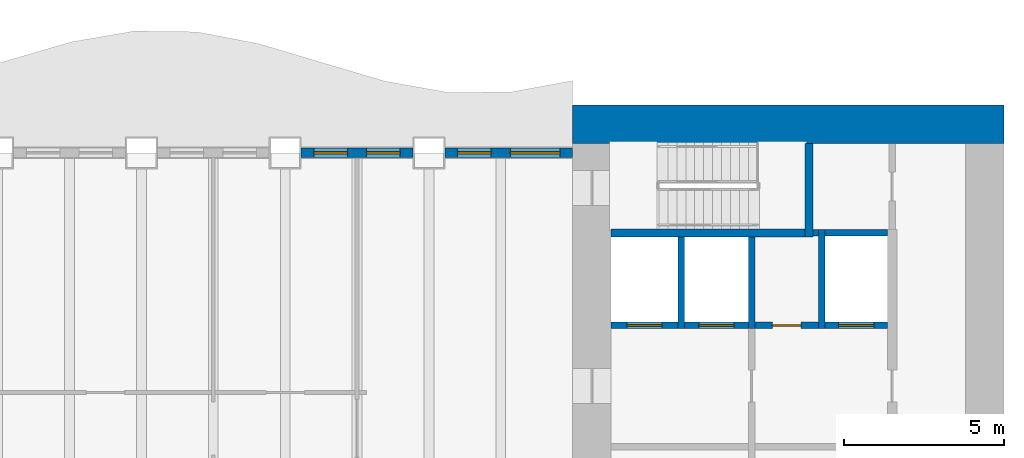
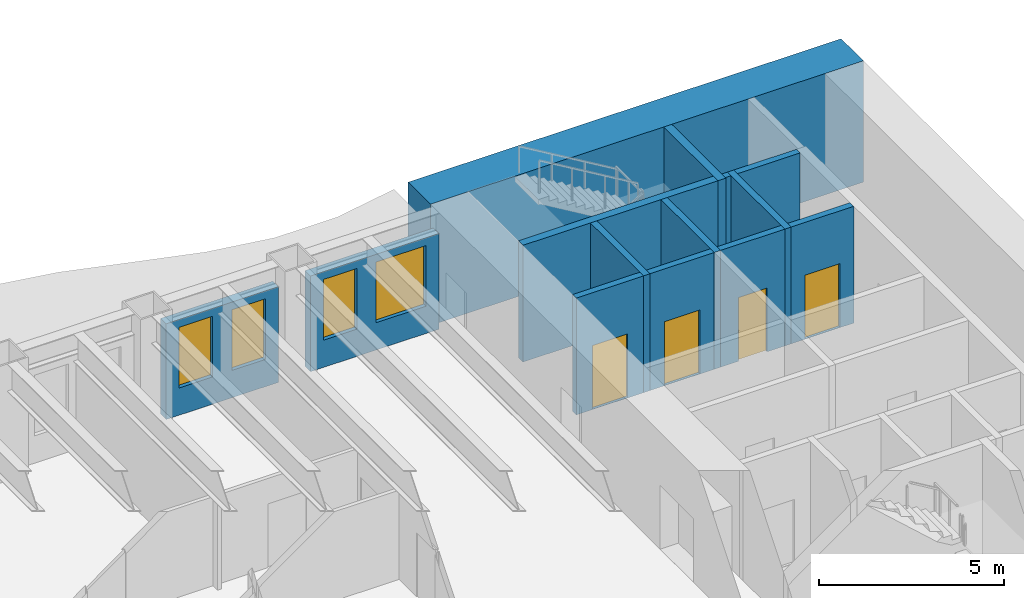
# One storey, part 7 of 16: 14 walls, 4 doors, 4 windows, 8 openings.
"""IFC4 building model written with IfcOpenShell, lengths in metres."""

from ifc_helpers import new_model, si_unit, direction, frame, frame_2d, origin, place, context, subcontext, project, spatial, rectangle, extrude, material, layer, layer_set, type_object, element, fill, save


model = new_model("IFC4")

# Units and contexts
model_context = context("Model", 3, precision=1e-05, world=origin(), true_north=direction((0.0, 1.0)))
body_context = subcontext(model_context, "Body", "Model", "MODEL_VIEW")
ifc_project = project(units=[si_unit("LENGTHUNIT", "METRE"), si_unit("AREAUNIT", "SQUARE_METRE"), si_unit("VOLUMEUNIT", "CUBIC_METRE"), si_unit("PLANEANGLEUNIT", "RADIAN"), si_unit("MASSUNIT", "GRAM", prefix="KILO")], contexts=[model_context])

# Site, building, storey
site_placement = place(None, origin())
site = spatial("IfcSite", under=ifc_project, at=site_placement, CompositionType="ELEMENT")
building_placement = place(site_placement, origin())
building = spatial("IfcBuilding", under=site, at=building_placement, Name="Sennacour Bend Tower", CompositionType="ELEMENT")
storey_placement = place(building_placement, frame((0.0, 0.0, 83.0)))
storey = spatial("IfcBuildingStorey", under=building, at=storey_placement, Name="L18", CompositionType="ELEMENT", Elevation=83.0)

# Wall
ifc_material_1 = material(Name="Concrete C80/95", Category="concrete")
ifc_layer_1 = layer(ifc_material_1, 1.199951171875, Name="Concrete C80/95", Category="concrete")
ifc_layer_set_1 = layer_set([ifc_layer_1], Name="Concrete C80/95")
wall_type_1 = type_object("IfcWallType", Name="Core wall 1200 C80/95", PredefinedType="SHEAR", material=ifc_layer_set_1)
wall_1_placement = place(storey_placement, frame((54.0, 21.89990234375, -0.14990234375), z_axis=(0.0, 0.0, 1.0), x_axis=(1.0, 0.0, 0.0)))
element("IfcWall", 1, at=wall_1_placement, inside=storey, type_object=wall_type_1, Name="Core A wall L18 N", PredefinedType="SHEAR", context=body_context, shape_type="SweptSolid", body=[
    extrude(rectangle(XDim=13.5, YDim=1.199951171875, at=frame_2d((6.75, 0.0))), origin(), (0.0, 0.0, 1.0), 4.0),
])

# Wall, opening, door
ifc_material_2 = material(Name="Fire-rated plasterboard partition on steel studs", Category="steel")
ifc_layer_2 = layer(ifc_material_2, 0.199951171875, Name="Fire-rated plasterboard partition on steel studs", Category="steel")
ifc_layer_set_2 = layer_set([ifc_layer_2], Name="Fire-rated plasterboard partition on steel studs")
wall_type_2 = type_object("IfcWallType", Name="Rated partition 200", PredefinedType="PARTITIONING", material=ifc_layer_set_2)
wall_2_placement = place(storey_placement, frame((59.699951171875, 15.60009765625, 0.0), z_axis=(0.0, 0.0, 1.0), x_axis=(1.0, 0.0, 0.0)))
wall_2 = element("IfcWall", 2, at=wall_2_placement, inside=storey, type_object=wall_type_2, Name="P-L18-W062", PredefinedType="PARTITIONING", context=body_context, shape_type="SweptSolid", body=[
    extrude(rectangle(XDim=2.0, YDim=0.199951171875, at=frame_2d((1.0, 0.0))), origin(), (0.0, 0.0, 1.0), 3.85009765625),
])
opening_1_placement = place(wall_2_placement, frame((0.550048828125, 0.0, 0.0)))
opening_1 = element("IfcOpeningElement", 3, at=opening_1_placement, cuts=wall_2, Name="Opening SV", PredefinedType="OPENING", context=body_context, shape_type="SweptSolid", body=[
    extrude(rectangle(XDim=0.89990234375, YDim=2.10009765625, at=frame_2d((0.449951171875, 1.050048828125))), frame((0.0, 0.10986328125, 0.0), z_axis=(0.0, -1.0, 0.0), x_axis=(1.0, 0.0, 0.0)), (0.0, 0.0, 1.0), 0.219970703125),
])
ifc_material_3 = material(Name="Painted steel", Category="steel")
door_type_1 = type_object("IfcDoorType", Name="DR-SERVICE-900", OperationType="NOTDEFINED", PredefinedType="DOOR", material=ifc_material_3)
door_1_placement = place(opening_1_placement, origin())
door_1 = element("IfcDoor", 4, at=door_1_placement, inside=storey, type_object=door_type_1, Name="Door", OperationType="SINGLE_SWING_LEFT", OverallHeight=2.10009765625, OverallWidth=0.89990234375, PredefinedType="DOOR", context=body_context, shape_type="SweptSolid", body=[
    extrude(rectangle(XDim=0.89990234375, YDim=2.10009765625, at=frame_2d((0.449951171875, 1.050048828125))), frame((0.0, 0.02490234375, 0.0), z_axis=(0.0, -1.0, 0.0), x_axis=(1.0, 0.0, 0.0)), (0.0, 0.0, 1.0), 0.050048828125),
])
fill(opening_1, door_1)

# Wall
wall_3_placement = place(storey_placement, frame((61.52490234375, 18.5, 0.0), z_axis=(0.0, 0.0, 1.0), x_axis=(1.0, 0.0, 0.0)))
element("IfcWall", 5, at=wall_3_placement, inside=storey, type_object=wall_type_2, Name="P-L18-W065", PredefinedType="PARTITIONING", context=body_context, shape_type="SweptSolid", body=[
    extrude(rectangle(XDim=0.175048828125, YDim=0.199951171875, at=frame_2d((0.08740234375, 0.0))), origin(), (0.0, 0.0, 1.0), 3.85009765625),
])

# Wall, openings, windows
ifc_material_4 = material(Name="Warm limestone cladding", Category="masonry")
ifc_layer_3 = layer(ifc_material_4, 0.050048828125, Name="Warm limestone cladding", Category="masonry")
ifc_material_5 = material(Name="Precast concrete C40/50", Category="concrete")
ifc_layer_4 = layer(ifc_material_5, 0.25, Name="Precast concrete C40/50", Category="concrete")
ifc_layer_set_3 = layer_set([ifc_layer_3, ifc_layer_4], Name="Precast concrete C40/50 with limestone cladding")
wall_type_3 = type_object("IfcWallType", Name="STONE-CLAD PRECAST SPANDREL 300", PredefinedType="STANDARD", material=ifc_layer_set_3)
wall_4_placement = place(storey_placement, frame((54.0, 21.0, 0.0), z_axis=(0.0, 0.0, 1.0), x_axis=(-1.0, 0.0, 0.0)))
wall_4 = element("IfcWall", 6, at=wall_4_placement, inside=storey, type_object=wall_type_3, Name="Stone spandrel and pier wall L18 06.00", PredefinedType="STANDARD", context=body_context, shape_type="SweptSolid", body=[
    extrude(rectangle(XDim=4.0, YDim=0.300048828125, at=frame_2d((2.0, 0.0))), origin(), (0.0, 0.0, 1.0), 3.154052734375),
])
opening_2_placement = place(wall_4_placement, frame((0.39990234375, 0.0, 0.89990234375)))
opening_2 = element("IfcOpeningElement", 7, at=opening_2_placement, cuts=wall_4, Name="Opening W9", PredefinedType="OPENING", context=body_context, shape_type="SweptSolid", body=[
    extrude(rectangle(XDim=1.550048828125, YDim=2.0, at=frame_2d((0.77490234375, 1.0))), frame((0.0, 0.16015625, 0.0), z_axis=(0.0, -1.0, 0.0), x_axis=(1.0, 0.0, 0.0)), (0.0, 0.0, 1.0), 0.320068359375),
])
opening_3_placement = place(wall_4_placement, frame((2.550048828125, 0.0, 0.89990234375)))
opening_3 = element("IfcOpeningElement", 8, at=opening_3_placement, cuts=wall_4, Name="Opening W13", PredefinedType="OPENING", context=body_context, shape_type="SweptSolid", body=[
    extrude(rectangle(XDim=1.050048828125, YDim=2.0, at=frame_2d((0.52490234375, 1.0))), frame((0.0, 0.16015625, 0.0), z_axis=(0.0, -1.0, 0.0), x_axis=(1.0, 0.0, 0.0)), (0.0, 0.0, 1.0), 0.320068359375),
])
ifc_material_6 = material(Name="Clear low-emissivity glass", Category="glass")
window_type_1 = type_object("IfcWindowType", Name="WIN-RIBBON-1050x2000", PartitioningType="SINGLE_PANEL", PredefinedType="WINDOW", material=ifc_material_6)
window_1_placement = place(opening_3_placement, origin())
window_1 = element("IfcWindow", 9, at=window_1_placement, inside=storey, type_object=window_type_1, Name="Ribbon window L18 06.00.1", OverallHeight=2.0, OverallWidth=1.050048828125, PartitioningType="SINGLE_PANEL", PredefinedType="WINDOW", context=body_context, shape_type="SweptSolid", body=[
    extrude(rectangle(XDim=1.050048828125, YDim=2.0, at=frame_2d((0.52490234375, 1.0))), frame((0.0, 0.030029296875, 0.0), z_axis=(0.0, -1.0, 0.0), x_axis=(1.0, 0.0, 0.0)), (0.0, 0.0, 1.0), 0.06005859375),
])
fill(opening_3, window_1)
window_type_2 = type_object("IfcWindowType", Name="WIN-RIBBON-1550x2000", PartitioningType="SINGLE_PANEL", PredefinedType="WINDOW", material=ifc_material_6)
window_2_placement = place(opening_2_placement, origin())
window_2 = element("IfcWindow", 10, at=window_2_placement, inside=storey, type_object=window_type_2, Name="Ribbon window L18 06.00.0", OverallHeight=2.0, OverallWidth=1.550048828125, PartitioningType="SINGLE_PANEL", PredefinedType="WINDOW", context=body_context, shape_type="SweptSolid", body=[
    extrude(rectangle(XDim=1.550048828125, YDim=2.0, at=frame_2d((0.77490234375, 1.0))), frame((0.0, 0.030029296875, 0.0), z_axis=(0.0, -1.0, 0.0), x_axis=(1.0, 0.0, 0.0)), (0.0, 0.0, 1.0), 0.06005859375),
])
fill(opening_2, window_2)

wall_5_placement = place(storey_placement, frame((49.0, 21.0, 0.0), z_axis=(0.0, 0.0, 1.0), x_axis=(-1.0, 0.0, 0.0)))
wall_5 = element("IfcWall", 11, at=wall_5_placement, inside=storey, type_object=wall_type_3, Name="Stone spandrel and pier wall L18 06.01", PredefinedType="STANDARD", context=body_context, shape_type="SweptSolid", body=[
    extrude(rectangle(XDim=3.5, YDim=0.300048828125, at=frame_2d((1.75, 0.0))), origin(), (0.0, 0.0, 1.0), 3.154052734375),
])
opening_4_placement = place(wall_5_placement, frame((0.39990234375, 0.0, 0.89990234375)))
opening_4 = element("IfcOpeningElement", 12, at=opening_4_placement, cuts=wall_5, Name="Opening W13", PredefinedType="OPENING", context=body_context, shape_type="SweptSolid", body=[
    extrude(rectangle(XDim=1.050048828125, YDim=2.0, at=frame_2d((0.52490234375, 1.0))), frame((0.0, 0.16015625, 0.0), z_axis=(0.0, -1.0, 0.0), x_axis=(1.0, 0.0, 0.0)), (0.0, 0.0, 1.0), 0.320068359375),
])
opening_5_placement = place(wall_5_placement, frame((2.050048828125, 0.0, 0.89990234375)))
opening_5 = element("IfcOpeningElement", 13, at=opening_5_placement, cuts=wall_5, Name="Opening W13", PredefinedType="OPENING", context=body_context, shape_type="SweptSolid", body=[
    extrude(rectangle(XDim=1.050048828125, YDim=2.0, at=frame_2d((0.52490234375, 1.0))), frame((0.0, 0.16015625, 0.0), z_axis=(0.0, -1.0, 0.0), x_axis=(1.0, 0.0, 0.0)), (0.0, 0.0, 1.0), 0.320068359375),
])
window_3_placement = place(opening_4_placement, origin())
window_3 = element("IfcWindow", 14, at=window_3_placement, inside=storey, type_object=window_type_1, Name="Ribbon window L18 06.01.0", OverallHeight=2.0, OverallWidth=1.050048828125, PartitioningType="SINGLE_PANEL", PredefinedType="WINDOW", context=body_context, shape_type="SweptSolid", body=[
    extrude(rectangle(XDim=1.050048828125, YDim=2.0, at=frame_2d((0.52490234375, 1.0))), frame((0.0, 0.030029296875, 0.0), z_axis=(0.0, -1.0, 0.0), x_axis=(1.0, 0.0, 0.0)), (0.0, 0.0, 1.0), 0.06005859375),
])
fill(opening_4, window_3)
window_4_placement = place(opening_5_placement, origin())
window_4 = element("IfcWindow", 15, at=window_4_placement, inside=storey, type_object=window_type_1, Name="Ribbon window L18 06.01.1", OverallHeight=2.0, OverallWidth=1.050048828125, PartitioningType="SINGLE_PANEL", PredefinedType="WINDOW", context=body_context, shape_type="SweptSolid", body=[
    extrude(rectangle(XDim=1.050048828125, YDim=2.0, at=frame_2d((0.52490234375, 1.0))), frame((0.0, 0.030029296875, 0.0), z_axis=(0.0, -1.0, 0.0), x_axis=(1.0, 0.0, 0.0)), (0.0, 0.0, 1.0), 0.06005859375),
])
fill(opening_5, window_4)

# Walls
ifc_material_7 = material(Name="Concrete C50/60", Category="concrete")
ifc_layer_5 = layer(ifc_material_7, 0.199951171875, Name="Concrete C50/60", Category="concrete")
ifc_layer_set_4 = layer_set([ifc_layer_5], Name="Concrete C50/60")
wall_type_4 = type_object("IfcWallType", Name="Shaft wall 200", PredefinedType="SOLIDWALL", material=ifc_layer_set_4)
for number, where, z_axis, x_axis, name in (
    (16, (57.39990234375, 15.5, 0.0), (0.0, 0.0, 1.0), (0.0, 1.0, 0.0), "P-L18-W037"),
    (17, (59.60009765625, 15.5, 0.0), (0.0, 0.0, 1.0), (0.0, 1.0, 0.0), "P-L18-W040"),
):
    element("IfcWall", number, at=place(storey_placement, frame(where, z_axis=z_axis, x_axis=x_axis)), inside=storey, type_object=wall_type_4, Name=name, PredefinedType="SOLIDWALL", context=body_context, shape_type="SweptSolid", body=[
        extrude(rectangle(XDim=2.875, YDim=0.199951171875, at=frame_2d((1.4375, 0.0))), origin(), (0.0, 0.0, 1.0), 3.85009765625),
    ])
wall_6_placement = place(storey_placement, frame((61.800048828125, 15.5, 0.0), z_axis=(0.0, 0.0, 1.0), x_axis=(0.0, 1.0, 0.0)))
element("IfcWall", 18, at=wall_6_placement, inside=storey, type_object=wall_type_4, Name="P-L18-W044", PredefinedType="SOLIDWALL", context=body_context, shape_type="SweptSolid", body=[
    extrude(rectangle(XDim=3.10009765625, YDim=0.199951171875, at=frame_2d((1.550048828125, 0.0))), origin(), (0.0, 0.0, 1.0), 3.85009765625),
])

# Wall, opening, door
wall_7_placement = place(storey_placement, frame((55.199951171875, 15.60009765625, 0.0), z_axis=(0.0, 0.0, 1.0), x_axis=(1.0, 0.0, 0.0)))
wall_7 = element("IfcWall", 19, at=wall_7_placement, inside=storey, type_object=wall_type_4, Name="P-L18-W061a", PredefinedType="SOLIDWALL", context=body_context, shape_type="SweptSolid", body=[
    extrude(rectangle(XDim=2.10009765625, YDim=0.199951171875, at=frame_2d((1.050048828125, 0.0))), origin(), (0.0, 0.0, 1.0), 3.85009765625),
])
opening_6_placement = place(wall_7_placement, frame((0.5, 0.0, 0.011962890625)))
opening_6 = element("IfcOpeningElement", 20, at=opening_6_placement, cuts=wall_7, Name="Opening FLD", PredefinedType="OPENING", context=body_context, shape_type="SweptSolid", body=[
    extrude(rectangle(XDim=1.10009765625, YDim=2.10009765625, at=frame_2d((0.550048828125, 1.050048828125))), frame((0.0, 0.10986328125, 0.0), z_axis=(0.0, -1.0, 0.0), x_axis=(1.0, 0.0, 0.0)), (0.0, 0.0, 1.0), 0.219970703125),
])
ifc_material_8 = material(Name="Stainless steel", Category="steel")
door_type_2 = type_object("IfcDoorType", Name="DR-FF-LANDING-1100", OperationType="NOTDEFINED", PredefinedType="DOOR", material=ifc_material_8)
door_2_placement = place(opening_6_placement, origin())
door_2 = element("IfcDoor", 21, at=door_2_placement, inside=storey, type_object=door_type_2, Name="Fire service lift landing door FA1", OperationType="SLIDING_TO_LEFT", OverallHeight=2.10009765625, OverallWidth=1.10009765625, PredefinedType="DOOR", context=body_context, shape_type="SweptSolid", body=[
    extrude(rectangle(XDim=1.10009765625, YDim=2.10009765625, at=frame_2d((0.550048828125, 1.050048828125))), frame((0.0, 0.02490234375, 0.0), z_axis=(0.0, -1.0, 0.0), x_axis=(1.0, 0.0, 0.0)), (0.0, 0.0, 1.0), 0.050048828125),
])
fill(opening_6, door_2)

wall_8_placement = place(storey_placement, frame((57.5, 15.60009765625, 0.0), z_axis=(0.0, 0.0, 1.0), x_axis=(1.0, 0.0, 0.0)))
wall_8 = element("IfcWall", 22, at=wall_8_placement, inside=storey, type_object=wall_type_4, Name="P-L18-W061b", PredefinedType="SOLIDWALL", context=body_context, shape_type="SweptSolid", body=[
    extrude(rectangle(XDim=2.0, YDim=0.199951171875, at=frame_2d((1.0, 0.0))), origin(), (0.0, 0.0, 1.0), 3.85009765625),
])
opening_7_placement = place(wall_8_placement, frame((0.449951171875, 0.0, 0.011962890625)))
opening_7 = element("IfcOpeningElement", 23, at=opening_7_placement, cuts=wall_8, Name="Opening FLD", PredefinedType="OPENING", context=body_context, shape_type="SweptSolid", body=[
    extrude(rectangle(XDim=1.10009765625, YDim=2.10009765625, at=frame_2d((0.550048828125, 1.050048828125))), frame((0.0, 0.10986328125, 0.0), z_axis=(0.0, -1.0, 0.0), x_axis=(1.0, 0.0, 0.0)), (0.0, 0.0, 1.0), 0.219970703125),
])
door_3_placement = place(opening_7_placement, origin())
door_3 = element("IfcDoor", 24, at=door_3_placement, inside=storey, type_object=door_type_2, Name="Fire service lift landing door FA2", OperationType="SLIDING_TO_RIGHT", OverallHeight=2.10009765625, OverallWidth=1.10009765625, PredefinedType="DOOR", context=body_context, shape_type="SweptSolid", body=[
    extrude(rectangle(XDim=1.10009765625, YDim=2.10009765625, at=frame_2d((0.550048828125, 1.050048828125))), frame((0.0, 0.02490234375, 0.0), z_axis=(0.0, -1.0, 0.0), x_axis=(1.0, 0.0, 0.0)), (0.0, 0.0, 1.0), 0.050048828125),
])
fill(opening_7, door_3)

wall_9_placement = place(storey_placement, frame((61.89990234375, 15.60009765625, 0.0), z_axis=(0.0, 0.0, 1.0), x_axis=(1.0, 0.0, 0.0)))
wall_9 = element("IfcWall", 25, at=wall_9_placement, inside=storey, type_object=wall_type_4, Name="P-L18-W063", PredefinedType="SOLIDWALL", context=body_context, shape_type="SweptSolid", body=[
    extrude(rectangle(XDim=1.9501953125, YDim=0.199951171875, at=frame_2d((0.97509765625, 0.0))), origin(), (0.0, 0.0, 1.0), 3.85009765625),
])
opening_8_placement = place(wall_9_placement, frame((0.425048828125, 0.0, 0.011962890625)))
opening_8 = element("IfcOpeningElement", 26, at=opening_8_placement, cuts=wall_9, Name="Opening LD", PredefinedType="OPENING", context=body_context, shape_type="SweptSolid", body=[
    extrude(rectangle(XDim=1.10009765625, YDim=2.10009765625, at=frame_2d((0.550048828125, 1.050048828125))), frame((0.0, 0.10986328125, 0.0), z_axis=(0.0, -1.0, 0.0), x_axis=(1.0, 0.0, 0.0)), (0.0, 0.0, 1.0), 0.219970703125),
])
door_type_3 = type_object("IfcDoorType", Name="DR-LANDING-1100", OperationType="NOTDEFINED", PredefinedType="DOOR", material=ifc_material_8)
door_4_placement = place(opening_8_placement, origin())
door_4 = element("IfcDoor", 27, at=door_4_placement, inside=storey, type_object=door_type_3, Name="Lift landing door LA5", OperationType="SLIDING_TO_LEFT", OverallHeight=2.10009765625, OverallWidth=1.10009765625, PredefinedType="DOOR", context=body_context, shape_type="SweptSolid", body=[
    extrude(rectangle(XDim=1.10009765625, YDim=2.10009765625, at=frame_2d((0.550048828125, 1.050048828125))), frame((0.0, 0.02490234375, 0.0), z_axis=(0.0, -1.0, 0.0), x_axis=(1.0, 0.0, 0.0)), (0.0, 0.0, 1.0), 0.050048828125),
])
fill(opening_8, door_4)

# Walls
wall_10_placement = place(storey_placement, frame((61.89990234375, 18.5, 0.0), z_axis=(0.0, 0.0, 1.0), x_axis=(1.0, 0.0, 0.0)))
element("IfcWall", 28, at=wall_10_placement, inside=storey, type_object=wall_type_4, Name="P-L18-W066", PredefinedType="SOLIDWALL", context=body_context, shape_type="SweptSolid", body=[
    extrude(rectangle(XDim=1.9501953125, YDim=0.199951171875, at=frame_2d((0.97509765625, 0.0))), origin(), (0.0, 0.0, 1.0), 3.85009765625),
])
ifc_material_9 = material(Name="Concrete C60/75", Category="concrete")
ifc_layer_6 = layer(ifc_material_9, 0.25, Name="Concrete C60/75", Category="concrete")
ifc_layer_set_5 = layer_set([ifc_layer_6], Name="Concrete C60/75")
wall_type_5 = type_object("IfcWallType", Name="Stair wall 250", PredefinedType="SHEAR", material=ifc_layer_set_5)
wall_11_placement = place(storey_placement, frame((61.39990234375, 18.375, 0.0), z_axis=(0.0, 0.0, 1.0), x_axis=(0.0, 1.0, 0.0)))
element("IfcWall", 29, at=wall_11_placement, inside=storey, type_object=wall_type_5, Name="P-L18-W042", PredefinedType="SHEAR", context=body_context, shape_type="SweptSolid", body=[
    extrude(rectangle(XDim=2.925048828125, YDim=0.25, at=frame_2d((1.46240234375, 0.0))), origin(), (0.0, 0.0, 1.0), 3.85009765625),
])
wall_12_placement = place(storey_placement, frame((55.199951171875, 18.5, 0.0), z_axis=(0.0, 0.0, 1.0), x_axis=(1.0, 0.0, 0.0)))
element("IfcWall", 30, at=wall_12_placement, inside=storey, type_object=wall_type_5, Name="P-L18-W064", PredefinedType="SHEAR", context=body_context, shape_type="SweptSolid", body=[
    extrude(rectangle(XDim=6.074951171875, YDim=0.25, at=frame_2d((3.03759765625, 0.0))), origin(), (0.0, 0.0, 1.0), 3.85009765625),
])

save(model, "model.ifc")
